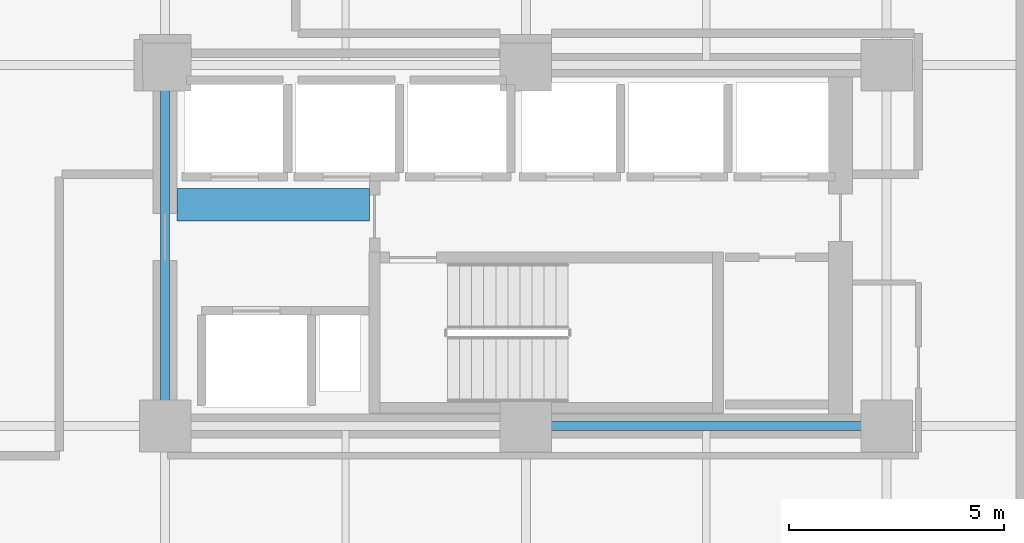
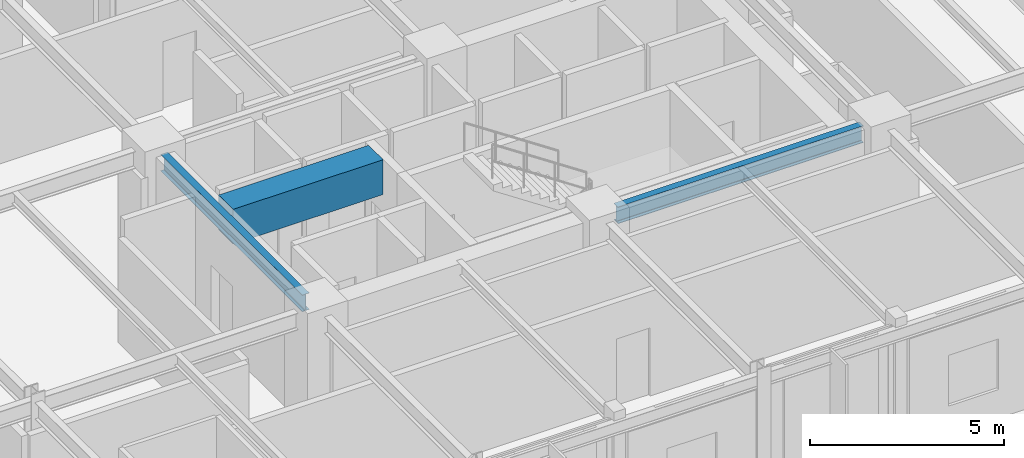
# One storey, part 5 of 25: 3 beams.
"""IFC4 building model written with IfcOpenShell, lengths in metres."""

from ifc_helpers import new_model, si_unit, direction, frame, origin, origin_2d, place, context, subcontext, project, spatial, rectangle, i_section, extrude, material, material_profile, profile_set, type_object, element, save


model = new_model("IFC4")

# Units and contexts
model_context = context("Model", 3, precision=1e-05, world=origin(), true_north=direction((0.0, 1.0)))
body_context = subcontext(model_context, "Body", "Model", "MODEL_VIEW")
ifc_project = project(units=[si_unit("LENGTHUNIT", "METRE"), si_unit("AREAUNIT", "SQUARE_METRE"), si_unit("VOLUMEUNIT", "CUBIC_METRE"), si_unit("PLANEANGLEUNIT", "RADIAN"), si_unit("MASSUNIT", "GRAM", prefix="KILO")], contexts=[model_context])

# Site, building, storey
site_placement = place(None, origin())
site = spatial("IfcSite", under=ifc_project, at=site_placement, CompositionType="ELEMENT")
building_placement = place(site_placement, origin())
building = spatial("IfcBuilding", under=site, at=building_placement, Name="Nerrivon Quay Data Exchange", CompositionType="ELEMENT")
storey_placement = place(building_placement, frame((0.0, 0.0, 113.10009765625)))
storey = spatial("IfcBuildingStorey", under=building, at=storey_placement, Name="L26", CompositionType="ELEMENT", Elevation=113.10009765625)

# Beams
ifc_material_1 = material(Name="Concrete S65 (65 MPa)", Category="concrete")
ifc_material_profile_1 = material_profile(ifc_material_1, rectangle(XDim=0.75, YDim=1.10009765625, at=origin_2d()), Name="RC-CB-750x1100")
ifc_profile_set_1 = profile_set([ifc_material_profile_1], Name="Concrete S65 (65 MPa)")
beam_type_1 = type_object("IfcBeamType", Name="BM-CB1-750x1100", PredefinedType="LINTEL", material=ifc_profile_set_1)
beam_1_placement = place(storey_placement, frame((17.074951171875, 13.550048828125, 3.27490234375), z_axis=(1.0, 0.0, 0.0), x_axis=(0.0, 1.0, 0.0)))
element("IfcBeam", 1, at=beam_1_placement, inside=storey, type_object=beam_type_1, Name="L26 East Core Coupling Beam", PredefinedType="LINTEL", context=body_context, shape_type="SweptSolid", body=[
    extrude(rectangle(XDim=0.75, YDim=1.10009765625, at=origin_2d()), origin(), (0.0, 0.0, 1.0), 4.47998046875),
])
ifc_material_2 = material(Name="Steel Grade 350", Category="steel")
ifc_material_profile_2 = material_profile(ifc_material_2, i_section(OverallWidth=0.208984375, OverallDepth=0.532958984375, WebThickness=0.01025390625, FlangeThickness=0.015625, FilletRadius=0.013916015625, at=origin_2d()), Name="530UB92.4")
ifc_profile_set_2 = profile_set([ifc_material_profile_2], Name="Steel Grade 350")
beam_type_2 = type_object("IfcBeamType", Name="BM-G3-530UB92", PredefinedType="BEAM", material=ifc_profile_set_2)
beam_2_placement = place(storey_placement, frame((25.739990234375, 8.39990234375, 3.558349609375), z_axis=(1.0, 0.0, 0.0), x_axis=(0.0, 1.0, 0.0)))
element("IfcBeam", 2, at=beam_2_placement, inside=storey, type_object=beam_type_2, Name="L26 EW Girder Y=8.4 (25.2..33.6)", PredefinedType="BEAM", context=body_context, shape_type="SweptSolid", body=[
    extrude(i_section(OverallWidth=0.208984375, OverallDepth=0.532958984375, WebThickness=0.01025390625, FlangeThickness=0.015625, FilletRadius=0.013916015625, at=origin_2d()), origin(), (0.0, 0.0, 1.0), 7.320068359375),
])
ifc_material_profile_3 = material_profile(ifc_material_2, i_section(OverallWidth=0.208984375, OverallDepth=0.528076171875, WebThickness=0.009521484375, FlangeThickness=0.01318359375, FilletRadius=0.013916015625, at=origin_2d()), Name="530UB82.0")
ifc_profile_set_3 = profile_set([ifc_material_profile_3], Name="Steel Grade 350")
beam_type_3 = type_object("IfcBeamType", Name="BM-G4-530UB82", PredefinedType="BEAM", material=ifc_profile_set_3)
beam_3_placement = place(storey_placement, frame((16.800048828125, 8.93994140625, 3.560791015625), z_axis=(0.0, 1.0, 0.0), x_axis=(-1.0, 0.0, 0.0)))
element("IfcBeam", 3, at=beam_3_placement, inside=storey, type_object=beam_type_3, Name="L26 NS Girder X=16.8 (8.4..16.8)", PredefinedType="BEAM", context=body_context, shape_type="SweptSolid", body=[
    extrude(i_section(OverallWidth=0.208984375, OverallDepth=0.528076171875, WebThickness=0.009521484375, FlangeThickness=0.01318359375, FilletRadius=0.013916015625, at=origin_2d()), origin(), (0.0, 0.0, 1.0), 7.320068359375),
])

save(model, "model.ifc")
